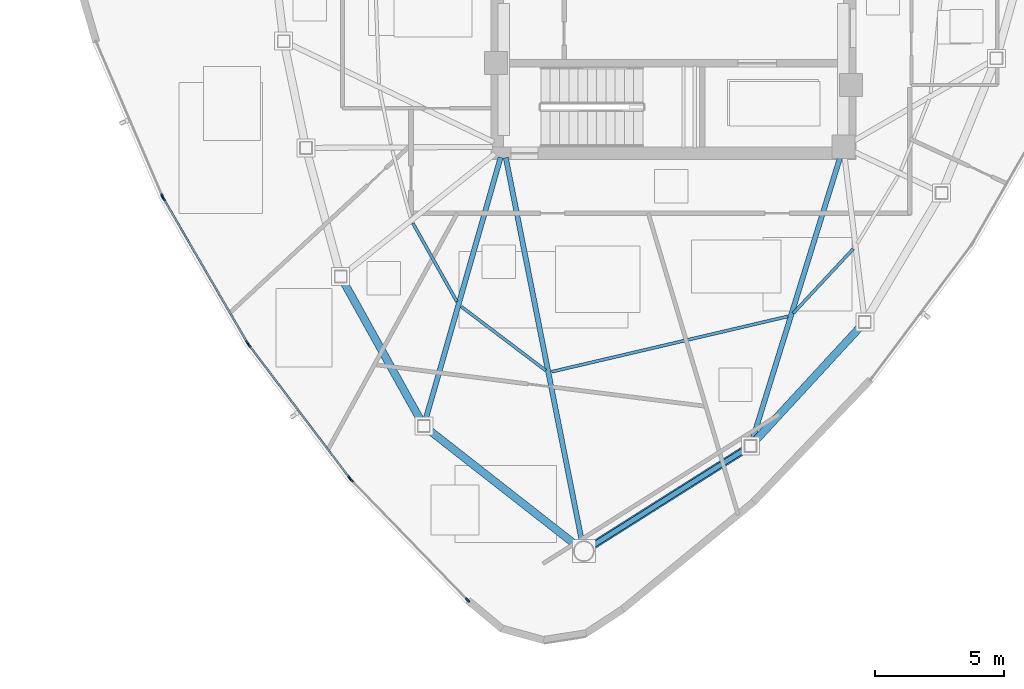
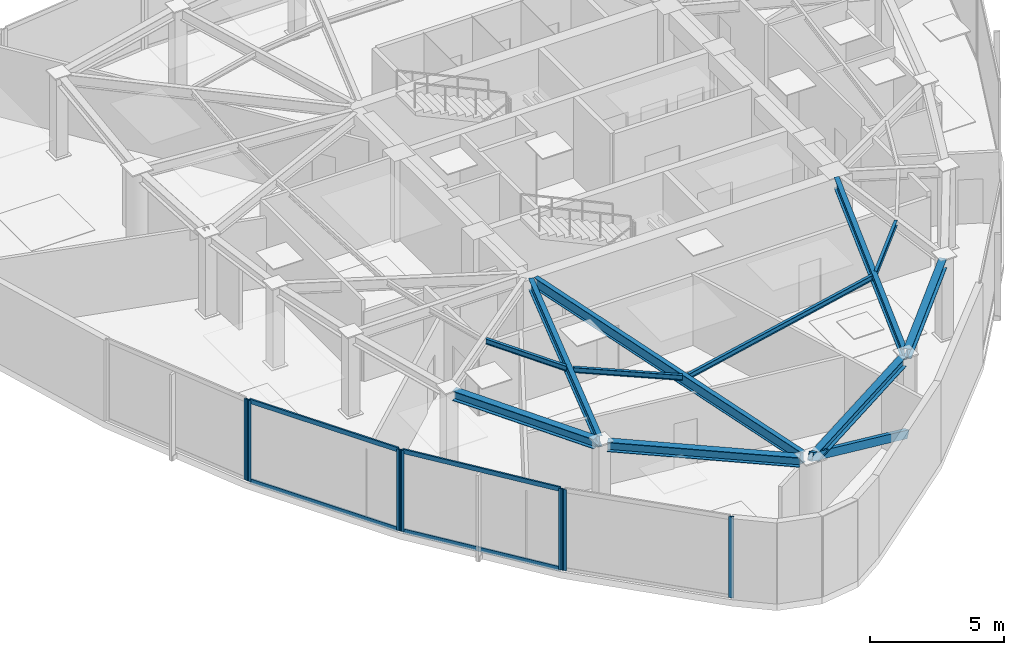
# One storey, part 2 of 12: 12 members, 11 beams, 4 elements without a shape of their own.
"""IFC4 building model written with IfcOpenShell, lengths in metres."""

import ifcopenshell
import ifcopenshell.guid

model = None  # the IFC model being written
_history = None  # IfcOwnerHistory: only IFC2X3 demands one
_inside = {}  # id of a spatial element -> (the spatial element, [elements in it])
_under = {}  # id of a project, library or spatial element -> (it, [spatial elements below it])
_declared = {}  # id of a project -> (the project, [libraries it declares])
_typed = {}  # id of a type object -> (the type object, [elements of that type])
_made_of = {}  # id of a material, layer set ... -> (it, [elements and type objects made of it])


def new_model(schema):
    """Start an empty IFC model of exactly this schema.

    Asked for "IFC4X3", IfcOpenShell would pick the latest addendum, in which some entities
    have other attributes; the version numbers below select the first issue.
    IFC2X3 requires an IfcOwnerHistory on every rooted entity: one is made here for all.
    """
    global model, _history
    if schema == "IFC4X3":
        model = ifcopenshell.file(schema_version=(4, 3, 0, 0))
    else:
        model = ifcopenshell.file(schema=schema)
    _inside.clear()
    _under.clear()
    _declared.clear()
    _typed.clear()
    _made_of.clear()
    _history = None
    if model.schema == "IFC2X3":
        org = make("IfcOrganization", Name="unknown")
        user = make(
            "IfcPersonAndOrganization",
            ThePerson=make("IfcPerson", FamilyName="unknown"),
            TheOrganization=org,
        )
        app = make(
            "IfcApplication",
            ApplicationDeveloper=org,
            Version="unknown",
            ApplicationFullName="unknown",
            ApplicationIdentifier="unknown",
        )
        _history = make(
            "IfcOwnerHistory",
            OwningUser=user,
            OwningApplication=app,
            ChangeAction="ADDED",
            CreationDate=0,
        )
    return model


def make(cls, **values):
    """One entity of the class cls with the attributes given. An attribute that is None is left unset."""
    return model.create_entity(
        cls, **{name: value for name, value in values.items() if value is not None}
    )


def rooted(cls, **values):
    """An entity with a GlobalId (a new one), such as an element, a storey or a relation."""
    return make(cls, GlobalId=ifcopenshell.guid.new(), OwnerHistory=_history, **values)


def si_unit(unit_type, name, prefix=None):
    """IfcSIUnit, for example si_unit("LENGTHUNIT", "METRE", prefix="MILLI")."""
    return make("IfcSIUnit", UnitType=unit_type, Prefix=prefix, Name=name)


def assignment(units):
    """IfcUnitAssignment: the units of a project."""
    return None if units is None else make("IfcUnitAssignment", Units=units)


def point(xyz):
    """IfcCartesianPoint."""
    return None if xyz is None else make("IfcCartesianPoint", Coordinates=xyz)


def direction(xyz):
    """IfcDirection."""
    return None if xyz is None else make("IfcDirection", DirectionRatios=xyz)


def frame(location, z_axis=None, x_axis=None):
    """IfcAxis2Placement3D, a coordinate frame: its origin and axes. An axis left out is left unset."""
    return make(
        "IfcAxis2Placement3D",
        Location=point(location),
        Axis=direction(z_axis),
        RefDirection=direction(x_axis),
    )


def frame_2d(location, x_axis=None):
    """IfcAxis2Placement2D, a coordinate frame in the plane: its origin and x axis."""
    return make(
        "IfcAxis2Placement2D", Location=point(location), RefDirection=direction(x_axis)
    )


def origin():
    """The frame at (0, 0, 0) with its axes left unset."""
    return frame((0.0, 0.0, 0.0))


def origin_2d():
    """The frame at (0, 0) in the plane with its x axis left unset."""
    return frame_2d((0.0, 0.0))


def place(relative_to, where):
    """IfcLocalPlacement: puts the frame where relative to a parent placement (None: the world)."""
    return make(
        "IfcLocalPlacement", PlacementRelTo=relative_to, RelativePlacement=where
    )


def context(
    kind, dimensions, precision=None, world=None, true_north=None, identifier=None
):
    """IfcGeometricRepresentationContext, for example the 3D "Model" context."""
    return make(
        "IfcGeometricRepresentationContext",
        ContextIdentifier=identifier,
        ContextType=kind,
        CoordinateSpaceDimension=dimensions,
        Precision=precision,
        WorldCoordinateSystem=world,
        TrueNorth=true_north,
    )


def subcontext(parent, identifier, kind, view, scale=None):
    """IfcGeometricRepresentationSubContext, for example "Body" below "Model"."""
    return make(
        "IfcGeometricRepresentationSubContext",
        ContextIdentifier=identifier,
        ContextType=kind,
        ParentContext=parent,
        TargetScale=scale,
        TargetView=view,
    )


def project(units=None, contexts=None):
    """IfcProject with its units and contexts."""
    return rooted(
        "IfcProject",
        Name="project",
        RepresentationContexts=contexts,
        UnitsInContext=assignment(units),
    )


def spatial(cls, under=None, at=None, **own):
    """A site, building, storey or space (cls), placed at a placement, below another one or the project."""
    s = rooted(cls, ObjectPlacement=at, **own)
    if under is not None:
        _under.setdefault(under.id(), (under, []))[1].append(s)
    return s


def profile(cls, at=None, kind="AREA", **sizes):
    """A parametric profile (cls). Its sizes go by their IFC names, for example OverallWidth=200.0."""
    return make(cls, ProfileType=kind, Position=at, **sizes)


def hollow_rectangle(**sizes):
    """IfcRectangleHollowProfileDef."""
    return profile("IfcRectangleHollowProfileDef", **sizes)


def i_section(**sizes):
    """IfcIShapeProfileDef."""
    return profile("IfcIShapeProfileDef", **sizes)


def extrude(swept, where, along, depth):
    """IfcExtrudedAreaSolid: the profile swept, set in the frame where, extruded along a direction by depth."""
    return make(
        "IfcExtrudedAreaSolid",
        SweptArea=swept,
        Position=where,
        ExtrudedDirection=direction(along),
        Depth=depth,
    )


def shape(context_of_items, identifier, shape_type, items):
    """IfcShapeRepresentation: the items that make up one representation, for example the "Body"."""
    return make(
        "IfcShapeRepresentation",
        ContextOfItems=context_of_items,
        RepresentationIdentifier=identifier,
        RepresentationType=shape_type,
        Items=items,
    )


def source(mapping_origin, context_of_items, identifier, shape_type, items):
    """IfcRepresentationMap: a shape defined once, which mapped items show again and again."""
    return make(
        "IfcRepresentationMap",
        MappingOrigin=mapping_origin,
        MappedRepresentation=shape(context_of_items, identifier, shape_type, items),
    )


def transform(
    local_origin,
    x_axis=None,
    y_axis=None,
    z_axis=None,
    scale=None,
    scale2=None,
    scale3=None,
    uniform=True,
):
    """IfcCartesianTransformationOperator3D, or its non-uniform kind. x_axis, y_axis, z_axis: its Axis1, 2, 3."""
    if uniform:
        return make(
            "IfcCartesianTransformationOperator3D",
            Axis1=direction(x_axis),
            Axis2=direction(y_axis),
            LocalOrigin=point(local_origin),
            Scale=scale,
            Axis3=direction(z_axis),
        )
    return make(
        "IfcCartesianTransformationOperator3DnonUniform",
        Axis1=direction(x_axis),
        Axis2=direction(y_axis),
        LocalOrigin=point(local_origin),
        Scale=scale,
        Axis3=direction(z_axis),
        Scale2=scale2,
        Scale3=scale3,
    )


def mapped(mapping_source, mapping_target):
    """IfcMappedItem: shows the shape of a source again, moved by a transform."""
    return make(
        "IfcMappedItem", MappingSource=mapping_source, MappingTarget=mapping_target
    )


def material(Name=None, Category=None):
    """IfcMaterial."""
    return make("IfcMaterial", Name=Name, Category=Category)


def layer(
    of_material, thickness, ventilated=None, Name=None, Category=None, Priority=None
):
    """IfcMaterialLayer: one layer of a wall or slab, of a material (None: an air gap)."""
    return make(
        "IfcMaterialLayer",
        Material=of_material,
        LayerThickness=thickness,
        IsVentilated=ventilated,
        Name=Name,
        Category=Category,
        Priority=Priority,
    )


def layer_set(layers, Name=None):
    """IfcMaterialLayerSet."""
    return make("IfcMaterialLayerSet", MaterialLayers=layers, LayerSetName=Name)


def material_profile(
    of_material, cross_section, Name=None, Category=None, Priority=None
):
    """IfcMaterialProfile: a cross section and its material."""
    return make(
        "IfcMaterialProfile",
        Name=Name,
        Material=of_material,
        Profile=cross_section,
        Priority=Priority,
        Category=Category,
    )


def profile_set(profiles, Name=None, composite=None):
    """IfcMaterialProfileSet."""
    return make(
        "IfcMaterialProfileSet",
        Name=Name,
        MaterialProfiles=profiles,
        CompositeProfile=composite,
    )


def made_of(thing, what):
    """Note that an element or type object is made of a material, layer set ...; save() writes the relation."""
    if what is not None:
        _made_of.setdefault(what.id(), (what, []))[1].append(thing)
    return thing


def type_object(cls, material=None, **own):
    """A type object (cls), such as IfcWallType, which elements share."""
    return made_of(rooted(cls, **own), material)


def type_shapes(of_type, sources):
    """Give a type object the sources (RepresentationMaps) that its elements show as mapped items."""
    of_type.RepresentationMaps = sources


def element(
    cls,
    number,
    at=None,
    inside=None,
    cuts=None,
    type_object=None,
    material=None,
    context=None,
    identifier="Body",
    shape_type=None,
    held_by="IfcProductDefinitionShape",
    body=None,
    shapes=None,
    **own,
):
    """One element of the class cls, such as IfcWall. Its Tag is "e" and its number.

    at: its placement. inside: the storey or other place that contains it. cuts: it is an
    opening in that element (IfcRelVoidsElement). A single representation is given by context,
    identifier, shape_type and body (its items); several are given by shapes. held_by: the class
    of the entity that holds the representations. save() writes the other relations.
    """
    e = rooted(cls, Tag="e%d" % number, ObjectPlacement=at, **own)
    if body is not None:
        shapes = [shape(context, identifier, shape_type, body)]
    if shapes is not None:
        e.Representation = make(held_by, Representations=shapes)
    if inside is not None:
        _inside.setdefault(inside.id(), (inside, []))[1].append(e)
    if cuts is not None:
        rooted(
            "IfcRelVoidsElement", RelatingBuildingElement=cuts, RelatedOpeningElement=e
        )
    if type_object is not None:
        _typed.setdefault(type_object.id(), (type_object, []))[1].append(e)
    return made_of(e, material)


def aggregate(whole, parts):
    """IfcRelAggregates: a whole, such as a stair, and the parts it consists of."""
    return rooted("IfcRelAggregates", RelatingObject=whole, RelatedObjects=parts)


def save(model, path):
    """Write the relations noted so far, then the file.

    IfcRelAggregates (storeys below a building ...), IfcRelContainedInSpatialStructure (elements
    in a storey), IfcRelDefinesByType, IfcRelAssociatesMaterial and IfcRelDeclares: one each for
    every whole, place, type object, material and project.
    """
    for whole, parts in _under.values():
        aggregate(whole, parts)
    for where, things in _inside.values():
        rooted(
            "IfcRelContainedInSpatialStructure",
            RelatedElements=things,
            RelatingStructure=where,
        )
    for kind, things in _typed.values():
        rooted("IfcRelDefinesByType", RelatedObjects=things, RelatingType=kind)
    for what, things in _made_of.values():
        rooted("IfcRelAssociatesMaterial", RelatedObjects=things, RelatingMaterial=what)
    for by, libraries in _declared.values():
        rooted("IfcRelDeclares", RelatingContext=by, RelatedDefinitions=libraries)
    model.write(path)


model = new_model("IFC4")

# Units and contexts
model_context = context("Model", 3, precision=1e-05, world=origin(), true_north=direction((0.0, 1.0)))
body_context = subcontext(model_context, "Body", "Model", "MODEL_VIEW")
ifc_project = project(units=[si_unit("LENGTHUNIT", "METRE"), si_unit("AREAUNIT", "SQUARE_METRE"), si_unit("VOLUMEUNIT", "CUBIC_METRE"), si_unit("PLANEANGLEUNIT", "RADIAN"), si_unit("MASSUNIT", "GRAM", prefix="KILO")], contexts=[model_context])

# Site, building, storey
site_placement = place(None, origin())
site = spatial("IfcSite", under=ifc_project, at=site_placement, CompositionType="ELEMENT")
building_placement = place(site_placement, origin())
building = spatial("IfcBuilding", under=site, at=building_placement, Name="Tavelor Broadcast Tower", CompositionType="ELEMENT")
storey_placement = place(building_placement, frame((0.0, 0.0, 281.5)))
storey = spatial("IfcBuildingStorey", under=building, at=storey_placement, Name="L67", CompositionType="ELEMENT", Elevation=281.5)

# Beams
ifc_material_1 = material(Name="Steel S355", Category="steel")
ifc_material_profile_1 = material_profile(ifc_material_1, i_section(OverallWidth=0.1201171875, OverallDepth=0.239990234375, WebThickness=0.006103515625, FlangeThickness=0.009765625, at=origin_2d()), Name="IPE 240")
ifc_profile_set_1 = profile_set([ifc_material_profile_1], Name="Steel S355")
beam_type_1 = type_object("IfcBeamType", Name="Composite Floor Joist T7 IPE 240", PredefinedType="JOIST", material=ifc_profile_set_1)
beam_1_placement = place(storey_placement, frame((39.873779296875, 35.830078125, 3.580078125), z_axis=(0.489567395479, -0.871965461061, 0.0), x_axis=(0.871965461061, 0.489567395479, 0.0)))
element("IfcBeam", 1, at=beam_1_placement, inside=storey, type_object=beam_type_1, Name="L67 Secondary Composite Floor Joist 05", PredefinedType="JOIST", context=body_context, shape_type="SweptSolid", body=[
    extrude(i_section(OverallWidth=0.1201171875, OverallDepth=0.239990234375, WebThickness=0.006103515625, FlangeThickness=0.009765625, at=origin_2d()), origin(), (0.0, 0.0, 1.0), 3.4921875),
])
beam_2_placement = place(storey_placement, frame((41.74951171875, 32.594482421875, 3.580078125), z_axis=(0.797312398186, -0.603566847747, 0.0), x_axis=(0.603566847747, 0.797312398186, 0.0)))
element("IfcBeam", 2, at=beam_2_placement, inside=storey, type_object=beam_type_1, Name="L67 Secondary Composite Floor Joist 06", PredefinedType="JOIST", context=body_context, shape_type="SweptSolid", body=[
    extrude(i_section(OverallWidth=0.1201171875, OverallDepth=0.239990234375, WebThickness=0.006103515625, FlangeThickness=0.009765625, at=origin_2d()), origin(), (0.0, 0.0, 1.0), 4.121826171875),
])
beam_3_placement = place(storey_placement, frame((45.264404296875, 30.058349609375, 3.580078125), z_axis=(0.973614241708, 0.228200149746, 0.0), x_axis=(-0.228200149746, 0.973614241708, 0.0)))
element("IfcBeam", 3, at=beam_3_placement, inside=storey, type_object=beam_type_1, Name="L67 Secondary Composite Floor Joist 07", PredefinedType="JOIST", context=body_context, shape_type="SweptSolid", body=[
    extrude(i_section(OverallWidth=0.1201171875, OverallDepth=0.239990234375, WebThickness=0.006103515625, FlangeThickness=0.009765625, at=origin_2d()), origin(), (0.0, 0.0, 1.0), 9.422119140625),
])
beam_4_placement = place(storey_placement, frame((54.651611328125, 32.332275390625, 3.580078125), z_axis=(0.681448823195, 0.731865767314, 0.0), x_axis=(-0.731865767314, 0.681448823195, 0.0)))
element("IfcBeam", 4, at=beam_4_placement, inside=storey, type_object=beam_type_1, Name="L67 Secondary Composite Floor Joist 08", PredefinedType="JOIST", context=body_context, shape_type="SweptSolid", body=[
    extrude(i_section(OverallWidth=0.1201171875, OverallDepth=0.239990234375, WebThickness=0.006103515625, FlangeThickness=0.009765625, at=origin_2d()), origin(), (0.0, 0.0, 1.0), 3.423583984375),
])
ifc_material_profile_2 = material_profile(ifc_material_1, i_section(OverallWidth=0.300048828125, OverallDepth=0.43994140625, WebThickness=0.011474609375, FlangeThickness=0.02099609375, at=origin_2d()), Name="HEA 450")
ifc_profile_set_2 = profile_set([ifc_material_profile_2], Name="Steel S355")
beam_type_2 = type_object("IfcBeamType", Name="Perimeter Spandrel Beam T7 HEA 450", PredefinedType="SPANDREL", material=ifc_profile_set_2)
beam_5_placement = place(storey_placement, frame((37.184814453125, 33.5498046875, 3.47998046875), z_axis=(0.485969141936, -0.873975968254, 0.0), x_axis=(0.873975968254, 0.485969141936, 0.0)))
element("IfcBeam", 5, at=beam_5_placement, inside=storey, type_object=beam_type_2, Name="L67 Framed-Tube Ring Spandrel 05", PredefinedType="SPANDREL", context=body_context, shape_type="SweptSolid", body=[
    extrude(i_section(OverallWidth=0.300048828125, OverallDepth=0.43994140625, WebThickness=0.011474609375, FlangeThickness=0.02099609375, at=origin_2d()), origin(), (0.0, 0.0, 1.0), 6.1630859375),
])
beam_6_placement = place(storey_placement, frame((40.485595703125, 27.8056640625, 3.47998046875), z_axis=(0.787521309141, -0.616287422919, 0.0), x_axis=(0.616287422919, 0.787521309141, 0.0)))
element("IfcBeam", 6, at=beam_6_placement, inside=storey, type_object=beam_type_2, Name="L67 Framed-Tube Ring Spandrel 06", PredefinedType="SPANDREL", context=body_context, shape_type="SweptSolid", body=[
    extrude(i_section(OverallWidth=0.300048828125, OverallDepth=0.43994140625, WebThickness=0.011474609375, FlangeThickness=0.02099609375, at=origin_2d()), origin(), (0.0, 0.0, 1.0), 7.265625),
])
beam_7_placement = place(storey_placement, frame((46.8447265625, 23.295654296875, 3.47998046875), z_axis=(0.845617600782, 0.53378916554, 0.0), x_axis=(-0.53378916554, 0.845617600782, 0.0)))
element("IfcBeam", 7, at=beam_7_placement, inside=storey, type_object=beam_type_2, Name="L67 Framed-Tube Ring Spandrel 07", PredefinedType="SPANDREL", context=body_context, shape_type="SweptSolid", body=[
    extrude(i_section(OverallWidth=0.300048828125, OverallDepth=0.43994140625, WebThickness=0.011474609375, FlangeThickness=0.02099609375, at=origin_2d()), origin(), (0.0, 0.0, 1.0), 7.03076171875),
])
beam_8_placement = place(storey_placement, frame((53.15576171875, 27.353271484375, 3.47998046875), z_axis=(0.677736891139, 0.735304499095, 0.0), x_axis=(-0.735304499095, 0.677736891139, 0.0)))
element("IfcBeam", 8, at=beam_8_placement, inside=storey, type_object=beam_type_2, Name="L67 Framed-Tube Ring Spandrel 08", PredefinedType="SPANDREL", context=body_context, shape_type="SweptSolid", body=[
    extrude(i_section(OverallWidth=0.300048828125, OverallDepth=0.43994140625, WebThickness=0.011474609375, FlangeThickness=0.02099609375, at=origin_2d()), origin(), (0.0, 0.0, 1.0), 6.06884765625),
])

# Member
ifc_material_profile_3 = material_profile(ifc_material_1, hollow_rectangle(XDim=0.199951171875, YDim=0.35009765625, WallThickness=0.01611328125, at=origin_2d()), Name="RHS 350x200x16")
ifc_profile_set_3 = profile_set([ifc_material_profile_3], Name="Steel S355")
member_type_1 = type_object("IfcMemberType", Name="Perimeter Tube Brace T7 RHS 350x200x16", PredefinedType="BRACE", material=ifc_profile_set_3)
member_1_placement = place(storey_placement, frame((52.992919921875, 27.1767578125, 0.0), z_axis=(-0.761462376336, -0.480666847696, 0.434895885184), x_axis=(0.533789146824, -0.845617612596, 0.0)))
element("IfcMember", 9, at=member_1_placement, inside=storey, type_object=member_type_1, Name="L67 Corner Tube Diagonal Brace 2", PredefinedType="BRACE", context=body_context, shape_type="SweptSolid", body=[
    extrude(hollow_rectangle(XDim=0.199951171875, YDim=0.35009765625, WallThickness=0.01611328125, at=origin_2d()), origin(), (0.0, 0.0, 1.0), 8.507568359375),
])

# Beams
ifc_material_profile_4 = material_profile(ifc_material_1, i_section(OverallWidth=0.199951171875, OverallDepth=0.5, WebThickness=0.01025390625, FlangeThickness=0.01611328125, at=origin_2d()), Name="IPE 500")
ifc_profile_set_4 = profile_set([ifc_material_profile_4], Name="Steel S355")
beam_type_3 = type_object("IfcBeamType", Name="Radial Floor Girder T7 IPE 500", PredefinedType="BEAM", material=ifc_profile_set_4)
beam_9_placement = place(storey_placement, frame((43.28125, 38.384765625, 3.449951171875), z_axis=(-0.275094925197, -0.961417069815, 0.0), x_axis=(0.961417069815, -0.275094925197, 0.0)))
element("IfcBeam", 10, at=beam_9_placement, inside=storey, type_object=beam_type_3, Name="L67 Radial Primary Floor Girder 06", PredefinedType="BEAM", context=body_context, shape_type="SweptSolid", body=[
    extrude(i_section(OverallWidth=0.199951171875, OverallDepth=0.5, WebThickness=0.01025390625, FlangeThickness=0.01611328125, at=origin_2d()), origin(), (0.0, 0.0, 1.0), 10.60986328125),
])
beam_10_placement = place(storey_placement, frame((43.48388671875, 38.376220703125, 3.449951171875), z_axis=(0.19444745334, -0.980912935938, 0.0), x_axis=(0.980912935938, 0.19444745334, 0.0)))
element("IfcBeam", 11, at=beam_10_placement, inside=storey, type_object=beam_type_3, Name="L67 Radial Primary Floor Girder 07", PredefinedType="BEAM", context=body_context, shape_type="SweptSolid", body=[
    extrude(i_section(OverallWidth=0.199951171875, OverallDepth=0.5, WebThickness=0.01025390625, FlangeThickness=0.01611328125, at=origin_2d()), origin(), (0.0, 0.0, 1.0), 15.196044921875),
])
beam_11_placement = place(storey_placement, frame((56.471923828125, 38.387451171875, 3.449951171875), z_axis=(-0.296373836186, -0.955072012585, 0.0), x_axis=(0.955072012585, -0.296373836186, 0.0)))
element("IfcBeam", 12, at=beam_11_placement, inside=storey, type_object=beam_type_3, Name="L67 Radial Primary Floor Girder 08", PredefinedType="BEAM", context=body_context, shape_type="SweptSolid", body=[
    extrude(i_section(OverallWidth=0.199951171875, OverallDepth=0.5, WebThickness=0.01025390625, FlangeThickness=0.01611328125, at=origin_2d()), origin(), (0.0, 0.0, 1.0), 11.498046875),
])

# Curtain wall, member
ifc_material_2 = material(Name="Architectural Anodized Aluminium", Category="aluminium")
ifc_layer = layer(ifc_material_2, 0.199951171875)
ifc_layer_set = layer_set([ifc_layer], Name="Architectural Anodized Aluminium")
curtain_wall_type = type_object("IfcCurtainWallType", Name="Tower High-Zone Triple-Glazed Curtain Wall CW04", PredefinedType="NOTDEFINED", material=ifc_layer_set)
curtain_wall_1_placement = place(storey_placement, origin())
curtain_wall_1 = element("IfcCurtainWall", 13, at=curtain_wall_1_placement, inside=storey, type_object=curtain_wall_type, Name="L67 Curtain Wall CW04 Run 733", PredefinedType="NOTDEFINED")
ifc_material_profile_5 = material_profile(ifc_material_2, hollow_rectangle(XDim=0.070068359375, YDim=0.199951171875, WallThickness=0.02197265625, at=origin_2d()), Name="RHS 70x200x22")
ifc_profile_set_5 = profile_set([ifc_material_profile_5], Name="Architectural Anodized Aluminium")
member_type_2 = type_object("IfcMemberType", Name="CW04 Extruded Aluminium Mullion 70x200", PredefinedType="MULLION", material=ifc_profile_set_5)
shared_shape_1 = source(origin(), body_context, "Body", "SweptSolid", [
    extrude(hollow_rectangle(XDim=0.070068359375, YDim=0.199951171875, WallThickness=0.02197265625, at=origin_2d()), origin(), (0.0, 0.0, 1.0), 3.699951171875),
])
type_shapes(member_type_2, [shared_shape_1])
member_2_placement = place(storey_placement, frame((30.140625, 36.878173828125, 0.0), z_axis=(0.0, 0.0, 1.0), x_axis=(0.918965351862, 0.394338283809, 0.0)))
member_2 = element("IfcMember", 14, at=member_2_placement, type_object=member_type_2, Name="CW04 mullion 2", PredefinedType="MULLION", context=body_context, shape_type="MappedRepresentation", body=[
    mapped(shared_shape_1, transform((0.0, 0.0, 0.0), scale=1.0)),
])
aggregate(curtain_wall_1, [member_2])

# Curtain wall, members
curtain_wall_2_placement = place(storey_placement, origin())
curtain_wall_2 = element("IfcCurtainWall", 15, at=curtain_wall_2_placement, inside=storey, type_object=curtain_wall_type, Name="L67 Curtain Wall CW04 Run 734", PredefinedType="NOTDEFINED")
member_3_placement = place(storey_placement, frame((30.185302734375, 36.7890625, 0.0), z_axis=(0.0, 0.0, 1.0), x_axis=(0.864489912701, 0.50265016745, 0.0)))
member_3 = element("IfcMember", 16, at=member_3_placement, type_object=member_type_2, Name="CW04 mullion 1", PredefinedType="MULLION", context=body_context, shape_type="MappedRepresentation", body=[
    mapped(shared_shape_1, transform((0.0, 0.0, 0.0), scale=1.0)),
])
member_4_placement = place(storey_placement, frame((33.443603515625, 31.185546875, 0.0), z_axis=(0.0, 0.0, 1.0), x_axis=(0.864489912701, 0.50265016745, 0.0)))
member_4 = element("IfcMember", 17, at=member_4_placement, type_object=member_type_2, Name="CW04 mullion 2", PredefinedType="MULLION", context=body_context, shape_type="MappedRepresentation", body=[
    mapped(shared_shape_1, transform((0.0, 0.0, 0.0), scale=1.0)),
])

curtain_wall_3_placement = place(storey_placement, origin())
curtain_wall_3 = element("IfcCurtainWall", 18, at=curtain_wall_3_placement, inside=storey, type_object=curtain_wall_type, Name="L67 Curtain Wall CW04 Run 735", PredefinedType="NOTDEFINED")
member_5_placement = place(storey_placement, frame((33.4990234375, 31.102294921875, 0.0), z_axis=(0.0, 0.0, 1.0), x_axis=(0.797318048234, 0.603559383955, 0.0)))
member_5 = element("IfcMember", 19, at=member_5_placement, type_object=member_type_2, Name="CW04 mullion 1", PredefinedType="MULLION", context=body_context, shape_type="MappedRepresentation", body=[
    mapped(shared_shape_1, transform((0.0, 0.0, 0.0), scale=1.0)),
])
member_6_placement = place(storey_placement, frame((37.4111328125, 25.934326171875, 0.0), z_axis=(0.0, 0.0, 1.0), x_axis=(0.797318048234, 0.603559383955, 0.0)))
member_6 = element("IfcMember", 20, at=member_6_placement, type_object=member_type_2, Name="CW04 mullion 2", PredefinedType="MULLION", context=body_context, shape_type="MappedRepresentation", body=[
    mapped(shared_shape_1, transform((0.0, 0.0, 0.0), scale=1.0)),
])

curtain_wall_4_placement = place(storey_placement, origin())
curtain_wall_4 = element("IfcCurtainWall", 21, at=curtain_wall_4_placement, inside=storey, type_object=curtain_wall_type, Name="L67 Curtain Wall CW04 Run 736", PredefinedType="NOTDEFINED")
member_7_placement = place(storey_placement, frame((37.47607421875, 25.8583984375, 0.0), z_axis=(0.0, 0.0, 1.0), x_axis=(0.718418771745, 0.695610859896, 0.0)))
member_7 = element("IfcMember", 22, at=member_7_placement, type_object=member_type_2, Name="CW04 mullion 1", PredefinedType="MULLION", context=body_context, shape_type="MappedRepresentation", body=[
    mapped(shared_shape_1, transform((0.0, 0.0, 0.0), scale=1.0)),
])
member_8_placement = place(storey_placement, frame((41.99609375, 21.190185546875, 0.0), z_axis=(0.0, 0.0, 1.0), x_axis=(0.718418771745, 0.695610859896, 0.0)))
member_8 = element("IfcMember", 23, at=member_8_placement, type_object=member_type_2, Name="CW04 mullion 2", PredefinedType="MULLION", context=body_context, shape_type="MappedRepresentation", body=[
    mapped(shared_shape_1, transform((0.0, 0.0, 0.0), scale=1.0)),
])
aggregate(curtain_wall_4, [member_7, member_8])

# Member
ifc_material_profile_6 = material_profile(ifc_material_2, hollow_rectangle(XDim=0.070068359375, YDim=0.199951171875, WallThickness=0.02197265625, at=origin_2d()), Name="RHS 70x200x22")
ifc_profile_set_6 = profile_set([ifc_material_profile_6], Name="Architectural Anodized Aluminium")
member_type_3 = type_object("IfcMemberType", Name="CW04 Extruded Aluminium Transom 70x200", PredefinedType="USERDEFINED", material=ifc_profile_set_6)
shared_shape_2 = source(origin(), body_context, "Body", "SweptSolid", [
    extrude(hollow_rectangle(XDim=0.070068359375, YDim=0.199951171875, WallThickness=0.02197265625, at=origin_2d()), origin(), (0.0, 0.0, 1.0), 6.411865234375),
])
type_shapes(member_type_3, [shared_shape_2])
member_9_placement = place(storey_placement, frame((30.202880859375, 36.7587890625, 0.034912109375), z_axis=(0.502677369985, -0.864474095451, 0.0), x_axis=(0.864474095451, 0.502677369985, 0.0)))
member_9 = element("IfcMember", 24, at=member_9_placement, type_object=member_type_3, Name="CW04 transom 1.1", ObjectType="TRANSOM", PredefinedType="USERDEFINED", context=body_context, shape_type="MappedRepresentation", body=[
    mapped(shared_shape_2, transform((0.0, 0.0, 0.0), scale=1.0)),
])

member_10_placement = place(storey_placement, frame((30.202880859375, 36.7587890625, 3.6650390625), z_axis=(0.502677369985, -0.864474095451, 0.0), x_axis=(0.864474095451, 0.502677369985, 0.0)))
member_10 = element("IfcMember", 25, at=member_10_placement, type_object=member_type_3, Name="CW04 transom 1.2", ObjectType="TRANSOM", PredefinedType="USERDEFINED", context=body_context, shape_type="MappedRepresentation", body=[
    mapped(shared_shape_2, transform((0.0, 0.0, 0.0), scale=1.0)),
])

aggregate(curtain_wall_2, [member_3, member_4, member_9, member_10])

member_11_placement = place(storey_placement, frame((33.52001953125, 31.074462890625, 0.034912109375), z_axis=(0.603576147776, -0.797305357963, 0.0), x_axis=(0.797305357963, 0.603576147776, 0.0)))
member_11 = element("IfcMember", 26, at=member_11_placement, type_object=member_type_3, Name="CW04 transom 1.1", ObjectType="TRANSOM", PredefinedType="USERDEFINED", context=body_context, shape_type="MappedRepresentation", body=[
    mapped(shared_shape_2, transform((0.0, 0.0, 0.0), scale=1.0)),
])

member_12_placement = place(storey_placement, frame((33.52001953125, 31.074462890625, 3.6650390625), z_axis=(0.603576147776, -0.797305357963, 0.0), x_axis=(0.797305357963, 0.603576147776, 0.0)))
member_12 = element("IfcMember", 27, at=member_12_placement, type_object=member_type_3, Name="CW04 transom 1.2", ObjectType="TRANSOM", PredefinedType="USERDEFINED", context=body_context, shape_type="MappedRepresentation", body=[
    mapped(shared_shape_2, transform((0.0, 0.0, 0.0), scale=1.0)),
])

aggregate(curtain_wall_3, [member_5, member_6, member_11, member_12])

save(model, "model.ifc")
